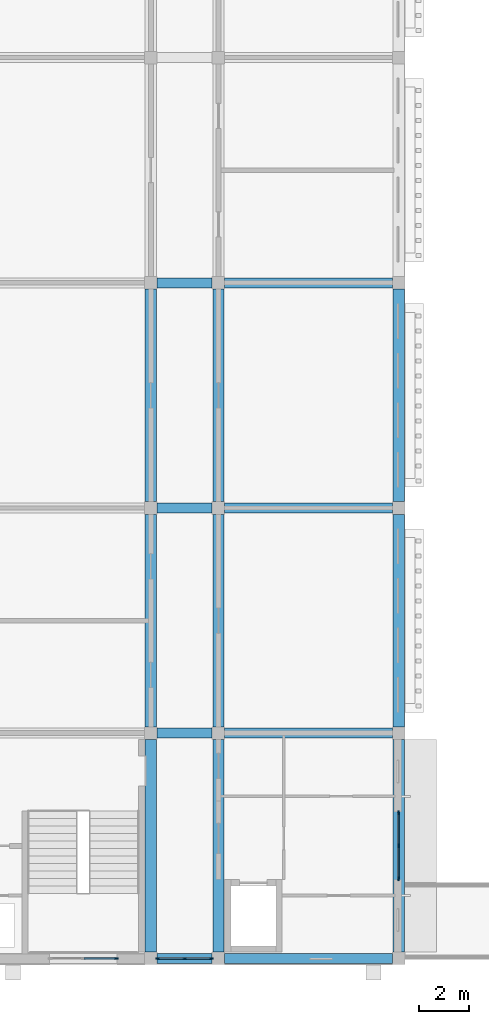
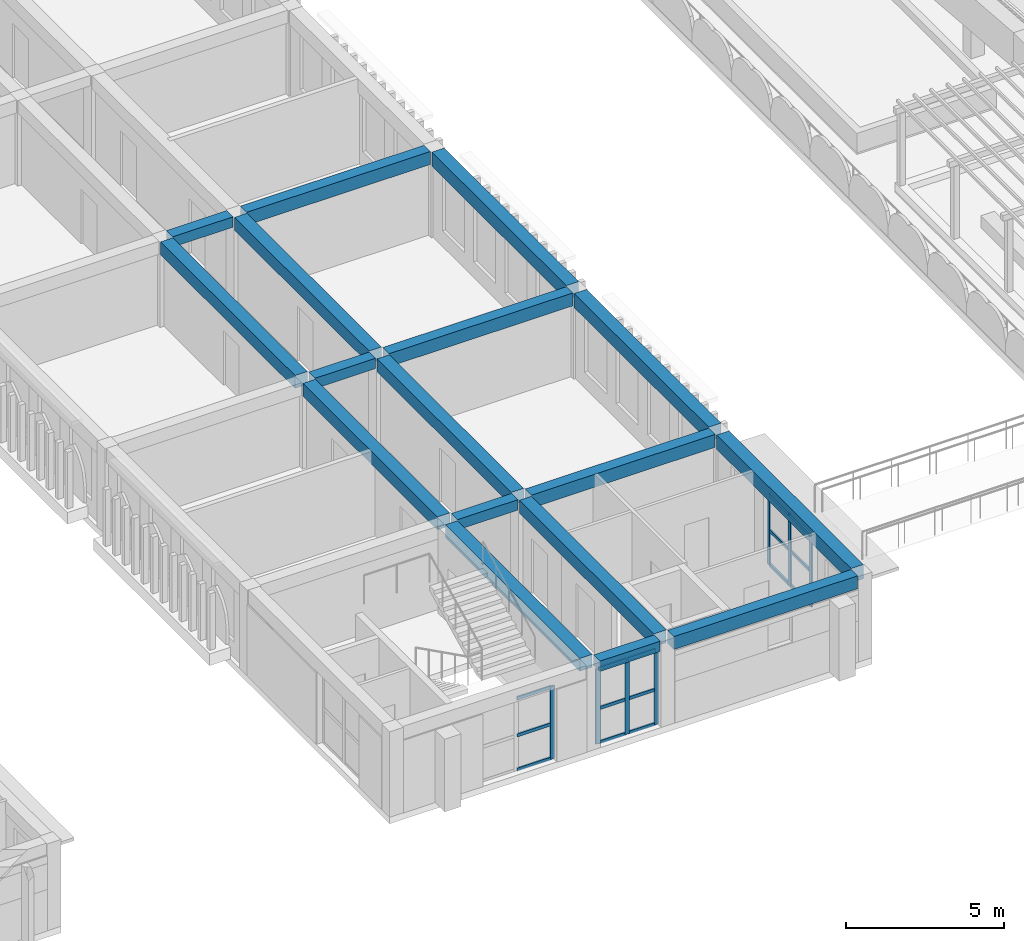
# One storey, part 23 of 70: 22 members, 17 beams, 3 elements without a shape of their own.
"""IFC4 building model written with IfcOpenShell, lengths in metres."""

from ifc_helpers import new_model, si_unit, direction, frame, origin, origin_2d, place, context, subcontext, project, spatial, rectangle, extrude, material, layer, layer_set, material_profile, profile_set, type_object, element, aggregate, save


model = new_model("IFC4")

# Units and contexts
model_context = context("Model", 3, precision=1e-05, world=origin(), true_north=direction((0.0, 1.0)))
body_context = subcontext(model_context, "Body", "Model", "MODEL_VIEW")
ifc_project = project(units=[si_unit("LENGTHUNIT", "METRE"), si_unit("AREAUNIT", "SQUARE_METRE"), si_unit("VOLUMEUNIT", "CUBIC_METRE"), si_unit("PLANEANGLEUNIT", "RADIAN"), si_unit("MASSUNIT", "GRAM", prefix="KILO")], contexts=[model_context])

# Site, building, storey
site_placement = place(None, origin())
site = spatial("IfcSite", under=ifc_project, at=site_placement, CompositionType="ELEMENT")
building_placement = place(site_placement, origin())
building = spatial("IfcBuilding", under=site, at=building_placement, Name="Elbe Cascade School", CompositionType="ELEMENT")
storey_placement = place(building_placement, frame((0.0, 0.0, 8.10009765625)))
storey = spatial("IfcBuildingStorey", under=building, at=storey_placement, Name="L02", CompositionType="ELEMENT", Elevation=8.10009765625)

# Curtain wall, members
ifc_material_1 = material(Name="Aluminium frame with double glazing, bronze anodised", Category="aluminium")
ifc_layer = layer(ifc_material_1, 0.159912109375)
ifc_layer_set = layer_set([ifc_layer], Name="Aluminium frame with double glazing, bronze anodised")
curtain_wall_type = type_object("IfcCurtainWallType", Name="Bars envelope Curtain wall, aluminium, bronze anodised, storey-high slot", PredefinedType="NOTDEFINED", material=ifc_layer_set)
curtain_wall_1_placement = place(storey_placement, origin())
curtain_wall_1 = element("IfcCurtainWall", 1, at=curtain_wall_1_placement, inside=storey, type_object=curtain_wall_type, Name="Curtain wall CW4 C.L02.e1", PredefinedType="NOTDEFINED")
ifc_material_2 = material(Name="Aluminium mullion, bronze anodised", Category="aluminium")
ifc_material_profile_1 = material_profile(ifc_material_2, rectangle(XDim=0.06005859375, YDim=0.159912109375, at=origin_2d()), Name="Bars envelope Curtain wall mullion 60 x 160, aluminium, storey-high slot")
ifc_profile_set_1 = profile_set([ifc_material_profile_1], Name="Aluminium mullion, bronze anodised")
member_type_1 = type_object("IfcMemberType", Name="Bars envelope Curtain wall mullion 60 x 160, aluminium, storey-high slot", PredefinedType="MULLION", material=ifc_profile_set_1)
member_1_placement = place(storey_placement, frame((145.300048828125, 11.820068359375, 0.0), z_axis=(0.0, 0.0, 1.0), x_axis=(1.0, 0.0, 0.0)))
member_1 = element("IfcMember", 2, at=member_1_placement, type_object=member_type_1, Name="CW4 mullion 1", PredefinedType="MULLION", context=body_context, shape_type="SweptSolid", body=[
    extrude(rectangle(XDim=0.06005859375, YDim=0.159912109375, at=origin_2d()), origin(), (0.0, 0.0, 1.0), 2.75),
])
member_2_placement = place(storey_placement, frame((145.300048828125, 10.5, 0.0), z_axis=(0.0, 0.0, 1.0), x_axis=(1.0, 0.0, 0.0)))
member_2 = element("IfcMember", 3, at=member_2_placement, type_object=member_type_1, Name="CW4 mullion 2", PredefinedType="MULLION", context=body_context, shape_type="SweptSolid", body=[
    extrude(rectangle(XDim=0.06005859375, YDim=0.159912109375, at=origin_2d()), origin(), (0.0, 0.0, 1.0), 2.75),
])
member_3_placement = place(storey_placement, frame((145.300048828125, 9.179931640625, 0.0), z_axis=(0.0, 0.0, 1.0), x_axis=(1.0, 0.0, 0.0)))
member_3 = element("IfcMember", 4, at=member_3_placement, type_object=member_type_1, Name="CW4 mullion 3", PredefinedType="MULLION", context=body_context, shape_type="SweptSolid", body=[
    extrude(rectangle(XDim=0.06005859375, YDim=0.159912109375, at=origin_2d()), origin(), (0.0, 0.0, 1.0), 2.75),
])

# Curtain wall, member
curtain_wall_2_placement = place(storey_placement, origin())
curtain_wall_2 = element("IfcCurtainWall", 5, at=curtain_wall_2_placement, inside=storey, type_object=curtain_wall_type, Name="Curtain wall CW4 C.L02.s1", PredefinedType="NOTDEFINED")
member_4_placement = place(storey_placement, frame((134.02001953125, 6.0, 0.0), z_axis=(0.0, 0.0, 1.0), x_axis=(0.0, -1.0, 0.0)))
member_4 = element("IfcMember", 6, at=member_4_placement, type_object=member_type_1, Name="CW4 mullion 1", PredefinedType="MULLION", context=body_context, shape_type="SweptSolid", body=[
    extrude(rectangle(XDim=0.06005859375, YDim=0.159912109375, at=origin_2d()), origin(), (0.0, 0.0, 1.0), 2.7998046875),
])

# Curtain wall, members
curtain_wall_3_placement = place(storey_placement, origin())
curtain_wall_3 = element("IfcCurtainWall", 7, at=curtain_wall_3_placement, inside=storey, type_object=curtain_wall_type, Name="Curtain wall CW4 C.L02.s2", PredefinedType="NOTDEFINED")
member_5_placement = place(storey_placement, frame((137.820068359375, 6.0, 0.0), z_axis=(0.0, 0.0, 1.0), x_axis=(0.0, -1.0, 0.0)))
member_5 = element("IfcMember", 8, at=member_5_placement, type_object=member_type_1, Name="CW4 mullion 1", PredefinedType="MULLION", context=body_context, shape_type="SweptSolid", body=[
    extrude(rectangle(XDim=0.06005859375, YDim=0.159912109375, at=origin_2d()), origin(), (0.0, 0.0, 1.0), 2.89990234375),
])
member_6_placement = place(storey_placement, frame((136.75, 6.0, 0.0), z_axis=(0.0, 0.0, 1.0), x_axis=(0.0, -1.0, 0.0)))
member_6 = element("IfcMember", 9, at=member_6_placement, type_object=member_type_1, Name="CW4 mullion 2", PredefinedType="MULLION", context=body_context, shape_type="SweptSolid", body=[
    extrude(rectangle(XDim=0.06005859375, YDim=0.159912109375, at=origin_2d()), origin(), (0.0, 0.0, 1.0), 2.89990234375),
])
member_7_placement = place(storey_placement, frame((135.679931640625, 6.0, 0.0), z_axis=(0.0, 0.0, 1.0), x_axis=(0.0, -1.0, 0.0)))
member_7 = element("IfcMember", 10, at=member_7_placement, type_object=member_type_1, Name="CW4 mullion 3", PredefinedType="MULLION", context=body_context, shape_type="SweptSolid", body=[
    extrude(rectangle(XDim=0.06005859375, YDim=0.159912109375, at=origin_2d()), origin(), (0.0, 0.0, 1.0), 2.89990234375),
])

# Member
ifc_material_3 = material(Name="Aluminium transom, bronze anodised", Category="aluminium")
ifc_material_profile_2 = material_profile(ifc_material_3, rectangle(XDim=0.06005859375, YDim=0.1201171875, at=origin_2d()), Name="Bars envelope Curtain wall transom 60 x 120, aluminium, storey-high slot")
ifc_profile_set_2 = profile_set([ifc_material_profile_2], Name="Aluminium transom, bronze anodised")
member_type_2 = type_object("IfcMemberType", Name="Bars envelope Curtain wall transom 60 x 120, aluminium, storey-high slot", PredefinedType="USERDEFINED", material=ifc_profile_set_2)
member_8_placement = place(storey_placement, frame((145.300048828125, 11.7900390625, 0.02978515625), z_axis=(0.0, -1.0, 0.0), x_axis=(1.0, 0.0, 0.0)))
member_8 = element("IfcMember", 11, at=member_8_placement, type_object=member_type_2, Name="CW4 transom 1.1", ObjectType="TRANSOM", PredefinedType="USERDEFINED", context=body_context, shape_type="SweptSolid", body=[
    extrude(rectangle(XDim=0.06005859375, YDim=0.1201171875, at=origin_2d()), origin(), (0.0, 0.0, 1.0), 1.260009765625),
])

member_9_placement = place(storey_placement, frame((145.300048828125, 11.7900390625, 1.349853515625), z_axis=(0.0, -1.0, 0.0), x_axis=(1.0, 0.0, 0.0)))
member_9 = element("IfcMember", 12, at=member_9_placement, type_object=member_type_2, Name="CW4 transom 1.2", ObjectType="TRANSOM", PredefinedType="USERDEFINED", context=body_context, shape_type="SweptSolid", body=[
    extrude(rectangle(XDim=0.06005859375, YDim=0.1201171875, at=origin_2d()), origin(), (0.0, 0.0, 1.0), 1.260009765625),
])

member_10_placement = place(storey_placement, frame((145.300048828125, 11.7900390625, 2.719970703125), z_axis=(0.0, -1.0, 0.0), x_axis=(1.0, 0.0, 0.0)))
member_10 = element("IfcMember", 13, at=member_10_placement, type_object=member_type_2, Name="CW4 transom 1.3", ObjectType="TRANSOM", PredefinedType="USERDEFINED", context=body_context, shape_type="SweptSolid", body=[
    extrude(rectangle(XDim=0.06005859375, YDim=0.1201171875, at=origin_2d()), origin(), (0.0, 0.0, 1.0), 1.260009765625),
])

member_11_placement = place(storey_placement, frame((145.300048828125, 10.469970703125, 0.02978515625), z_axis=(0.0, -1.0, 0.0), x_axis=(1.0, 0.0, 0.0)))
member_11 = element("IfcMember", 14, at=member_11_placement, type_object=member_type_2, Name="CW4 transom 2.1", ObjectType="TRANSOM", PredefinedType="USERDEFINED", context=body_context, shape_type="SweptSolid", body=[
    extrude(rectangle(XDim=0.06005859375, YDim=0.1201171875, at=origin_2d()), origin(), (0.0, 0.0, 1.0), 1.260009765625),
])

member_12_placement = place(storey_placement, frame((145.300048828125, 10.469970703125, 1.349853515625), z_axis=(0.0, -1.0, 0.0), x_axis=(1.0, 0.0, 0.0)))
member_12 = element("IfcMember", 15, at=member_12_placement, type_object=member_type_2, Name="CW4 transom 2.2", ObjectType="TRANSOM", PredefinedType="USERDEFINED", context=body_context, shape_type="SweptSolid", body=[
    extrude(rectangle(XDim=0.06005859375, YDim=0.1201171875, at=origin_2d()), origin(), (0.0, 0.0, 1.0), 1.260009765625),
])

member_13_placement = place(storey_placement, frame((145.300048828125, 10.469970703125, 2.719970703125), z_axis=(0.0, -1.0, 0.0), x_axis=(1.0, 0.0, 0.0)))
member_13 = element("IfcMember", 16, at=member_13_placement, type_object=member_type_2, Name="CW4 transom 2.3", ObjectType="TRANSOM", PredefinedType="USERDEFINED", context=body_context, shape_type="SweptSolid", body=[
    extrude(rectangle(XDim=0.06005859375, YDim=0.1201171875, at=origin_2d()), origin(), (0.0, 0.0, 1.0), 1.260009765625),
])

aggregate(curtain_wall_1, [member_1, member_2, member_3, member_8, member_9, member_10, member_11, member_12, member_13])

member_14_placement = place(storey_placement, frame((133.989990234375, 6.0, 0.02978515625), z_axis=(-1.0, 0.0, 0.0), x_axis=(0.0, -1.0, 0.0)))
member_14 = element("IfcMember", 17, at=member_14_placement, type_object=member_type_2, Name="CW4 transom 1.1", ObjectType="TRANSOM", PredefinedType="USERDEFINED", context=body_context, shape_type="SweptSolid", body=[
    extrude(rectangle(XDim=0.06005859375, YDim=0.1201171875, at=origin_2d()), origin(), (0.0, 0.0, 1.0), 1.260009765625),
])

member_15_placement = place(storey_placement, frame((133.989990234375, 6.0, 1.349853515625), z_axis=(-1.0, 0.0, 0.0), x_axis=(0.0, -1.0, 0.0)))
member_15 = element("IfcMember", 18, at=member_15_placement, type_object=member_type_2, Name="CW4 transom 1.2", ObjectType="TRANSOM", PredefinedType="USERDEFINED", context=body_context, shape_type="SweptSolid", body=[
    extrude(rectangle(XDim=0.06005859375, YDim=0.1201171875, at=origin_2d()), origin(), (0.0, 0.0, 1.0), 1.260009765625),
])

member_16_placement = place(storey_placement, frame((133.989990234375, 6.0, 2.77001953125), z_axis=(-1.0, 0.0, 0.0), x_axis=(0.0, -1.0, 0.0)))
member_16 = element("IfcMember", 19, at=member_16_placement, type_object=member_type_2, Name="CW4 transom 1.3", ObjectType="TRANSOM", PredefinedType="USERDEFINED", context=body_context, shape_type="SweptSolid", body=[
    extrude(rectangle(XDim=0.06005859375, YDim=0.1201171875, at=origin_2d()), origin(), (0.0, 0.0, 1.0), 1.260009765625),
])

aggregate(curtain_wall_2, [member_4, member_14, member_15, member_16])

member_17_placement = place(storey_placement, frame((137.7900390625, 6.0, 0.02978515625), z_axis=(-1.0, 0.0, 0.0), x_axis=(0.0, -1.0, 0.0)))
member_17 = element("IfcMember", 20, at=member_17_placement, type_object=member_type_2, Name="CW4 transom 1.1", ObjectType="TRANSOM", PredefinedType="USERDEFINED", context=body_context, shape_type="SweptSolid", body=[
    extrude(rectangle(XDim=0.06005859375, YDim=0.1201171875, at=origin_2d()), origin(), (0.0, 0.0, 1.0), 1.010009765625),
])

member_18_placement = place(storey_placement, frame((137.7900390625, 6.0, 1.349853515625), z_axis=(-1.0, 0.0, 0.0), x_axis=(0.0, -1.0, 0.0)))
member_18 = element("IfcMember", 21, at=member_18_placement, type_object=member_type_2, Name="CW4 transom 1.2", ObjectType="TRANSOM", PredefinedType="USERDEFINED", context=body_context, shape_type="SweptSolid", body=[
    extrude(rectangle(XDim=0.06005859375, YDim=0.1201171875, at=origin_2d()), origin(), (0.0, 0.0, 1.0), 1.010009765625),
])

member_19_placement = place(storey_placement, frame((137.7900390625, 6.0, 2.869873046875), z_axis=(-1.0, 0.0, 0.0), x_axis=(0.0, -1.0, 0.0)))
member_19 = element("IfcMember", 22, at=member_19_placement, type_object=member_type_2, Name="CW4 transom 1.3", ObjectType="TRANSOM", PredefinedType="USERDEFINED", context=body_context, shape_type="SweptSolid", body=[
    extrude(rectangle(XDim=0.06005859375, YDim=0.1201171875, at=origin_2d()), origin(), (0.0, 0.0, 1.0), 1.010009765625),
])

member_20_placement = place(storey_placement, frame((136.719970703125, 6.0, 0.02978515625), z_axis=(-1.0, 0.0, 0.0), x_axis=(0.0, -1.0, 0.0)))
member_20 = element("IfcMember", 23, at=member_20_placement, type_object=member_type_2, Name="CW4 transom 2.1", ObjectType="TRANSOM", PredefinedType="USERDEFINED", context=body_context, shape_type="SweptSolid", body=[
    extrude(rectangle(XDim=0.06005859375, YDim=0.1201171875, at=origin_2d()), origin(), (0.0, 0.0, 1.0), 1.010009765625),
])

member_21_placement = place(storey_placement, frame((136.719970703125, 6.0, 1.349853515625), z_axis=(-1.0, 0.0, 0.0), x_axis=(0.0, -1.0, 0.0)))
member_21 = element("IfcMember", 24, at=member_21_placement, type_object=member_type_2, Name="CW4 transom 2.2", ObjectType="TRANSOM", PredefinedType="USERDEFINED", context=body_context, shape_type="SweptSolid", body=[
    extrude(rectangle(XDim=0.06005859375, YDim=0.1201171875, at=origin_2d()), origin(), (0.0, 0.0, 1.0), 1.010009765625),
])

member_22_placement = place(storey_placement, frame((136.719970703125, 6.0, 2.869873046875), z_axis=(-1.0, 0.0, 0.0), x_axis=(0.0, -1.0, 0.0)))
member_22 = element("IfcMember", 25, at=member_22_placement, type_object=member_type_2, Name="CW4 transom 2.3", ObjectType="TRANSOM", PredefinedType="USERDEFINED", context=body_context, shape_type="SweptSolid", body=[
    extrude(rectangle(XDim=0.06005859375, YDim=0.1201171875, at=origin_2d()), origin(), (0.0, 0.0, 1.0), 1.010009765625),
])

aggregate(curtain_wall_3, [member_5, member_6, member_7, member_17, member_18, member_19, member_20, member_21, member_22])

# Beams
ifc_material_4 = material(Name="Concrete C30/37", Category="concrete")
ifc_material_profile_3 = material_profile(ifc_material_4, rectangle(XDim=0.39990234375, YDim=0.39990234375, at=origin_2d()), Name="RC 400x400")
ifc_profile_set_3 = profile_set([ifc_material_profile_3], Name="Concrete C30/37")
beam_type_1 = type_object("IfcBeamType", Name="RC 400x400 beam", PredefinedType="BEAM", material=ifc_profile_set_3)
for number, where, z_axis, x_axis, name in (
    (26, (135.64990234375, 6.0, 3.099853515625), (1.0, 0.0, 0.0), (0.0, 1.0, 0.0), "RC 400x400 beam B5"),
    (27, (135.64990234375, 15.0, 3.099853515625), (1.0, 0.0, 0.0), (0.0, 1.0, 0.0), "RC 400x400 beam B5"),
    (28, (135.64990234375, 24.0, 3.099853515625), (1.0, 0.0, 0.0), (0.0, 1.0, 0.0), "RC 400x400 beam B5"),
    (29, (135.64990234375, 33.0, 3.099853515625), (1.0, 0.0, 0.0), (0.0, 1.0, 0.0), "RC 400x400 beam B5"),
):
    element("IfcBeam", number, at=place(storey_placement, frame(where, z_axis=z_axis, x_axis=x_axis)), inside=storey, type_object=beam_type_1, Name=name, PredefinedType="BEAM", context=body_context, shape_type="SweptSolid", body=[
        extrude(rectangle(XDim=0.39990234375, YDim=0.39990234375, at=origin_2d()), origin(), (0.0, 0.0, 1.0), 2.2001953125),
    ])
ifc_material_5 = material(Name="Concrete C30/37", Category="concrete")
ifc_material_profile_4 = material_profile(ifc_material_5, rectangle(XDim=0.39990234375, YDim=0.5, at=origin_2d()), Name="RC 400x500")
ifc_profile_set_4 = profile_set([ifc_material_profile_4], Name="Concrete C30/37")
beam_type_2 = type_object("IfcBeamType", Name="RC 400x500 beam", PredefinedType="BEAM", material=ifc_profile_set_4)
for number, where, z_axis, x_axis, name in (
    (30, (138.35009765625, 6.0, 3.0498046875), (1.0, 0.0, 0.0), (0.0, 1.0, 0.0), "RC 400x500 beam B1"),
    (31, (138.35009765625, 15.0, 3.0498046875), (1.0, 0.0, 0.0), (0.0, 1.0, 0.0), "RC 400x500 beam B1"),
    (32, (138.35009765625, 24.0, 3.0498046875), (1.0, 0.0, 0.0), (0.0, 1.0, 0.0), "RC 400x500 beam B1"),
    (33, (138.35009765625, 33.0, 3.0498046875), (1.0, 0.0, 0.0), (0.0, 1.0, 0.0), "RC 400x500 beam B1"),
):
    element("IfcBeam", number, at=place(storey_placement, frame(where, z_axis=z_axis, x_axis=x_axis)), inside=storey, type_object=beam_type_2, Name=name, PredefinedType="BEAM", context=body_context, shape_type="SweptSolid", body=[
        extrude(rectangle(XDim=0.39990234375, YDim=0.5, at=origin_2d()), origin(), (0.0, 0.0, 1.0), 6.699951171875),
    ])
ifc_material_6 = material(Name="Concrete C30/37", Category="concrete")
ifc_material_profile_5 = material_profile(ifc_material_6, rectangle(XDim=0.449951171875, YDim=0.5, at=origin_2d()), Name="RC 450x500")
ifc_profile_set_5 = profile_set([ifc_material_profile_5], Name="Concrete C30/37")
beam_type_3 = type_object("IfcBeamType", Name="RC 450x500 beam", PredefinedType="BEAM", material=ifc_profile_set_5)
for number, where, z_axis, x_axis, name in (
    (34, (135.39990234375, 6.25, 3.0498046875), (0.0, 1.0, 0.0), (-1.0, 0.0, 0.0), "RC 450x500 beam B9"),
    (35, (135.39990234375, 15.25, 3.0498046875), (0.0, 1.0, 0.0), (-1.0, 0.0, 0.0), "RC 450x500 beam B9"),
    (36, (135.39990234375, 24.25, 3.0498046875), (0.0, 1.0, 0.0), (-1.0, 0.0, 0.0), "RC 450x500 beam B9"),
    (37, (138.10009765625, 6.25, 3.0498046875), (0.0, 1.0, 0.0), (-1.0, 0.0, 0.0), "RC 450x500 beam B9"),
    (38, (138.10009765625, 15.25, 3.0498046875), (0.0, 1.0, 0.0), (-1.0, 0.0, 0.0), "RC 450x500 beam B9"),
    (39, (138.10009765625, 24.25, 3.0498046875), (0.0, 1.0, 0.0), (-1.0, 0.0, 0.0), "RC 450x500 beam B9"),
):
    element("IfcBeam", number, at=place(storey_placement, frame(where, z_axis=z_axis, x_axis=x_axis)), inside=storey, type_object=beam_type_3, Name=name, PredefinedType="BEAM", context=body_context, shape_type="SweptSolid", body=[
        extrude(rectangle(XDim=0.449951171875, YDim=0.5, at=origin_2d()), origin(), (0.0, 0.0, 1.0), 8.5),
    ])
ifc_material_7 = material(Name="Concrete C30/37", Category="concrete")
ifc_material_profile_6 = material_profile(ifc_material_7, rectangle(XDim=0.449951171875, YDim=0.550048828125, at=origin_2d()), Name="RC 450x550")
ifc_profile_set_6 = profile_set([ifc_material_profile_6], Name="Concrete C30/37")
beam_type_4 = type_object("IfcBeamType", Name="RC 450x550 beam", PredefinedType="BEAM", material=ifc_profile_set_6)
for number, where, z_axis, x_axis, name in (
    (40, (145.300048828125, 6.25, 3.02490234375), (0.0, 1.0, 0.0), (-1.0, 0.0, 0.0), "RC 450x550 beam B12"),
    (41, (145.300048828125, 15.25, 3.02490234375), (0.0, 1.0, 0.0), (-1.0, 0.0, 0.0), "RC 450x550 beam B12"),
    (42, (145.300048828125, 24.25, 3.02490234375), (0.0, 1.0, 0.0), (-1.0, 0.0, 0.0), "RC 450x550 beam B12"),
):
    element("IfcBeam", number, at=place(storey_placement, frame(where, z_axis=z_axis, x_axis=x_axis)), inside=storey, type_object=beam_type_4, Name=name, PredefinedType="BEAM", context=body_context, shape_type="SweptSolid", body=[
        extrude(rectangle(XDim=0.449951171875, YDim=0.550048828125, at=origin_2d()), origin(), (0.0, 0.0, 1.0), 8.5),
    ])

save(model, "model.ifc")
